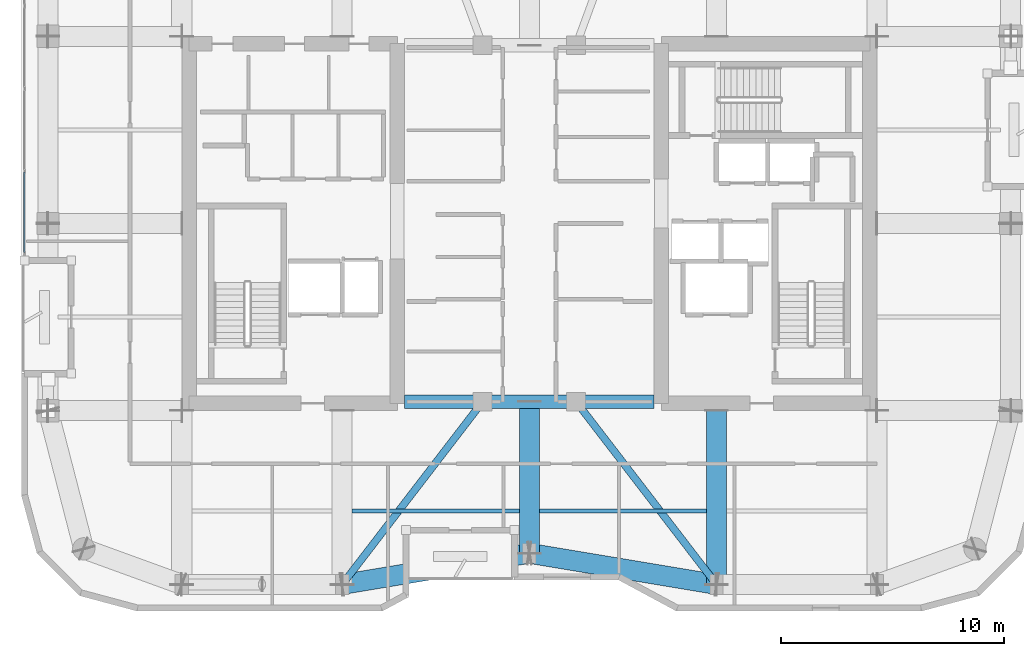
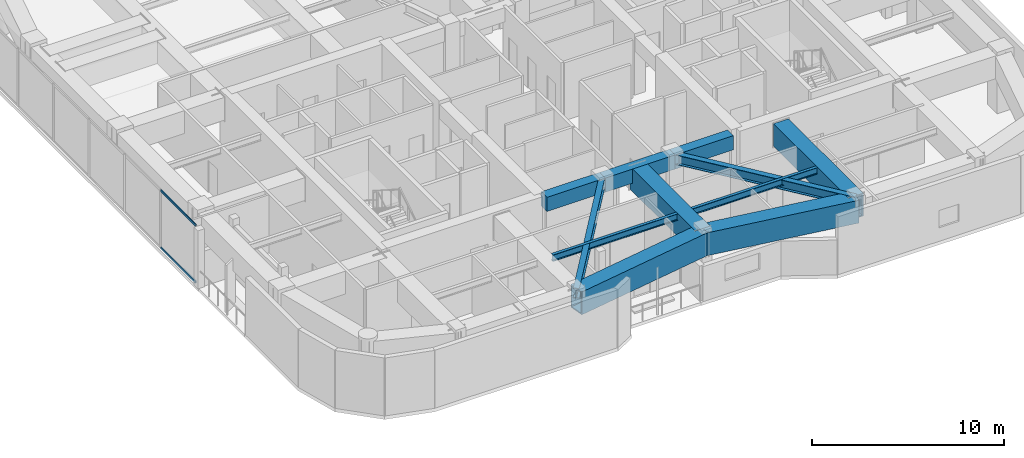
# One storey, part 3 of 21: 11 beams, 2 members, 1 element without a shape of its own.
"""IFC4 building model written with IfcOpenShell, lengths in metres."""

from ifc_helpers import new_model, si_unit, direction, frame, origin, origin_2d, place, context, subcontext, project, spatial, rectangle, hollow_rectangle, i_section, extrude, material, layer, layer_set, material_profile, profile_set, type_object, element, aggregate, save


model = new_model("IFC4")

# Units and contexts
model_context = context("Model", 3, precision=1e-05, world=origin(), true_north=direction((0.0, 1.0)))
body_context = subcontext(model_context, "Body", "Model", "MODEL_VIEW")
ifc_project = project(units=[si_unit("LENGTHUNIT", "METRE"), si_unit("AREAUNIT", "SQUARE_METRE"), si_unit("VOLUMEUNIT", "CUBIC_METRE"), si_unit("PLANEANGLEUNIT", "RADIAN"), si_unit("MASSUNIT", "GRAM", prefix="KILO")], contexts=[model_context])

# Site, building, storey
site_placement = place(None, origin())
site = spatial("IfcSite", under=ifc_project, at=site_placement, CompositionType="ELEMENT")
building_placement = place(site_placement, origin())
building = spatial("IfcBuilding", under=site, at=building_placement, Name="Kiyonajd Concourse Tower", CompositionType="ELEMENT")
storey_placement = place(building_placement, frame((0.0, 0.0, 251.10009765625)))
storey = spatial("IfcBuildingStorey", under=building, at=storey_placement, Name="L63", CompositionType="ELEMENT", Elevation=251.10009765625)

# Beams
ifc_material_1 = material(Name="Concrete C60/75", Category="concrete")
ifc_material_profile_1 = material_profile(ifc_material_1, rectangle(XDim=0.60009765625, YDim=0.89990234375, at=origin_2d()), Name="RCBM-600x900")
ifc_profile_set_1 = profile_set([ifc_material_profile_1], Name="Concrete C60/75")
beam_type_1 = type_object("IfcBeamType", Name="BM-COUP-900", PredefinedType="LINTEL", material=ifc_profile_set_1)
beam_1_placement = place(storey_placement, frame((42.39990234375, 28.0, 3.22998046875), z_axis=(1.0, 0.0, 0.0), x_axis=(0.0, 1.0, 0.0)))
element("IfcBeam", 1, at=beam_1_placement, inside=storey, type_object=beam_type_1, Name="L63 Core Coupling Beam S1", PredefinedType="LINTEL", context=body_context, shape_type="SweptSolid", body=[
    extrude(rectangle(XDim=0.60009765625, YDim=0.89990234375, at=origin_2d()), origin(), (0.0, 0.0, 1.0), 3.5),
])
beam_2_placement = place(storey_placement, frame((45.89990234375, 28.0, 3.22998046875), z_axis=(1.0, 0.0, 0.0), x_axis=(0.0, 1.0, 0.0)))
element("IfcBeam", 2, at=beam_2_placement, inside=storey, type_object=beam_type_1, Name="L63 Core Coupling Beam S2", PredefinedType="LINTEL", context=body_context, shape_type="SweptSolid", body=[
    extrude(rectangle(XDim=0.60009765625, YDim=0.89990234375, at=origin_2d()), origin(), (0.0, 0.0, 1.0), 4.2001953125),
])
beam_3_placement = place(storey_placement, frame((50.10009765625, 28.0, 3.22998046875), z_axis=(1.0, 0.0, 0.0), x_axis=(0.0, 1.0, 0.0)))
element("IfcBeam", 3, at=beam_3_placement, inside=storey, type_object=beam_type_1, Name="L63 Core Coupling Beam S3", PredefinedType="LINTEL", context=body_context, shape_type="SweptSolid", body=[
    extrude(rectangle(XDim=0.60009765625, YDim=0.89990234375, at=origin_2d()), origin(), (0.0, 0.0, 1.0), 3.5),
])
ifc_material_2 = material(Name="Steel ASTM A992 Grade 50", Category="steel")
ifc_material_profile_2 = material_profile(ifc_material_2, i_section(OverallWidth=0.180908203125, OverallDepth=0.4169921875, WebThickness=0.010986328125, FlangeThickness=0.018310546875, at=origin_2d()), Name="W410X85")
ifc_profile_set_2 = profile_set([ifc_material_profile_2], Name="Steel ASTM A992 Grade 50")
beam_type_2 = type_object("IfcBeamType", Name="BM-JST-410", PredefinedType="JOIST", material=ifc_profile_set_2)
for number, where, z_axis, x_axis, name in (
    (4, (40.050048828125, 23.10009765625, 3.471435546875), (1.0, 0.0, 0.0), (0.0, 1.0, 0.0), "L63 Secondary Floor Joist"),
    (5, (48.449951171875, 23.10009765625, 3.471435546875), (1.0, 0.0, 0.0), (0.0, 1.0, 0.0), "L63 Secondary Floor Joist"),
):
    element("IfcBeam", number, at=place(storey_placement, frame(where, z_axis=z_axis, x_axis=x_axis)), inside=storey, type_object=beam_type_2, Name=name, PredefinedType="JOIST", context=body_context, shape_type="SweptSolid", body=[
        extrude(i_section(OverallWidth=0.180908203125, OverallDepth=0.4169921875, WebThickness=0.010986328125, FlangeThickness=0.018310546875, at=origin_2d()), origin(), (0.0, 0.0, 1.0), 7.5),
    ])
ifc_material_profile_3 = material_profile(ifc_material_2, i_section(OverallWidth=0.326904296875, OverallDepth=0.6220703125, WebThickness=0.015380859375, FlangeThickness=0.0244140625, at=origin_2d()), Name="W610X195")
ifc_profile_set_3 = profile_set([ifc_material_profile_3], Name="Steel ASTM A992 Grade 50")
beam_type_3 = type_object("IfcBeamType", Name="BM-TWR-610A", PredefinedType="BEAM", material=ifc_profile_set_3)
for number, where, z_axis, x_axis, name in (
    (6, (39.60009765625, 19.800048828125, 3.368896484375), (0.609233709922, 0.792990722956, 0.0), (-0.792990722956, 0.609233709922, 0.0), "L63 Core Tie Girder"),
    (7, (50.10009765625, 28.0, 3.368896484375), (0.609233709922, -0.792990722956, 0.0), (0.792990722956, 0.609233709922, 0.0), "L63 Core Tie Girder"),
):
    element("IfcBeam", number, at=place(storey_placement, frame(where, z_axis=z_axis, x_axis=x_axis)), inside=storey, type_object=beam_type_3, Name=name, PredefinedType="BEAM", context=body_context, shape_type="SweptSolid", body=[
        extrude(i_section(OverallWidth=0.326904296875, OverallDepth=0.6220703125, WebThickness=0.015380859375, FlangeThickness=0.0244140625, at=origin_2d()), origin(), (0.0, 0.0, 1.0), 10.340576171875),
    ])
ifc_material_3 = material(Name="Steel ASTM A572 Grade 50", Category="steel")
ifc_material_profile_4 = material_profile(ifc_material_3, hollow_rectangle(XDim=0.89990234375, YDim=1.449951171875, WallThickness=0.074951171875, at=origin_2d()), Name="BOX-1450x900x75")
ifc_profile_set_4 = profile_set([ifc_material_profile_4], Name="Steel ASTM A572 Grade 50")
beam_type_4 = type_object("IfcBeamType", Name="BM-XFER-1800", PredefinedType="BEAM", material=ifc_profile_set_4)
for number, where, z_axis, x_axis, name in (
    (8, (39.60009765625, 19.800048828125, 2.954833984375), (0.986395473479, 0.164389689151, 0.0), (-0.164389689151, 0.986395473479, 0.0), "L63 Perimeter Bundled Tube Spandrel"),
    (9, (48.0, 21.199951171875, 2.954833984375), (0.986395473479, -0.164389689151, 0.0), (0.164389689151, 0.986395473479, 0.0), "L63 Perimeter Bundled Tube Spandrel"),
):
    element("IfcBeam", number, at=place(storey_placement, frame(where, z_axis=z_axis, x_axis=x_axis)), inside=storey, type_object=beam_type_4, Name=name, PredefinedType="BEAM", context=body_context, shape_type="SweptSolid", body=[
        extrude(hollow_rectangle(XDim=0.89990234375, YDim=1.449951171875, WallThickness=0.074951171875, at=origin_2d()), origin(), (0.0, 0.0, 1.0), 8.515869140625),
    ])
beam_4_placement = place(storey_placement, frame((56.39990234375, 19.800048828125, 2.954833984375), z_axis=(0.0, 1.0, 0.0), x_axis=(-1.0, 0.0, 0.0)))
element("IfcBeam", 10, at=beam_4_placement, inside=storey, type_object=beam_type_4, Name="L63 South Lease Girder", PredefinedType="BEAM", context=body_context, shape_type="SweptSolid", body=[
    extrude(hollow_rectangle(XDim=0.89990234375, YDim=1.449951171875, WallThickness=0.074951171875, at=origin_2d()), origin(), (0.0, 0.0, 1.0), 7.800048828125),
])
beam_5_placement = place(storey_placement, frame((48.0, 21.199951171875, 2.954833984375), z_axis=(0.0, 1.0, 0.0), x_axis=(-1.0, 0.0, 0.0)))
element("IfcBeam", 11, at=beam_5_placement, inside=storey, type_object=beam_type_4, Name="L63 South Ribbon Girder", PredefinedType="BEAM", context=body_context, shape_type="SweptSolid", body=[
    extrude(hollow_rectangle(XDim=0.89990234375, YDim=1.449951171875, WallThickness=0.074951171875, at=origin_2d()), origin(), (0.0, 0.0, 1.0), 6.800048828125),
])

# Curtain wall, members
ifc_material_4 = material(Name="Thermally Broken Anodised Aluminium", Category="aluminium")
ifc_layer = layer(ifc_material_4, 0.179931640625)
ifc_layer_set = layer_set([ifc_layer], Name="Thermally Broken Anodised Aluminium")
curtain_wall_type = type_object("IfcCurtainWallType", Name="CW-SYS-04", PredefinedType="NOTDEFINED", material=ifc_layer_set)
curtain_wall_placement = place(storey_placement, origin())
curtain_wall = element("IfcCurtainWall", 12, at=curtain_wall_placement, inside=storey, type_object=curtain_wall_type, Name="L63 Unitised Curtain Wall CW4", PredefinedType="NOTDEFINED")
ifc_material_profile_5 = material_profile(ifc_material_4, hollow_rectangle(XDim=0.06494140625, YDim=0.139892578125, WallThickness=0.00390625, at=origin_2d()), Name="TRAN-65x140")
ifc_profile_set_5 = profile_set([ifc_material_profile_5], Name="Thermally Broken Anodised Aluminium")
member_type = type_object("IfcMemberType", Name="MB-CW-TRAN1", PredefinedType="USERDEFINED", material=ifc_profile_set_5)
member_1_placement = place(storey_placement, frame((25.340087890625, 34.695068359375, 0.032470703125), z_axis=(0.0, 1.0, 0.0), x_axis=(-1.0, 0.0, 0.0)))
member_1 = element("IfcMember", 13, at=member_1_placement, type_object=member_type, Name="CW4 transom 1.1", ObjectType="TRANSOM", PredefinedType="USERDEFINED", context=body_context, shape_type="SweptSolid", body=[
    extrude(hollow_rectangle(XDim=0.06494140625, YDim=0.139892578125, WallThickness=0.00390625, at=origin_2d()), origin(), (0.0, 0.0, 1.0), 3.61279296875),
])
member_2_placement = place(storey_placement, frame((25.340087890625, 34.695068359375, 3.6474609375), z_axis=(0.0, 1.0, 0.0), x_axis=(-1.0, 0.0, 0.0)))
member_2 = element("IfcMember", 14, at=member_2_placement, type_object=member_type, Name="CW4 transom 1.2", ObjectType="TRANSOM", PredefinedType="USERDEFINED", context=body_context, shape_type="SweptSolid", body=[
    extrude(hollow_rectangle(XDim=0.06494140625, YDim=0.139892578125, WallThickness=0.00390625, at=origin_2d()), origin(), (0.0, 0.0, 1.0), 3.61279296875),
])
aggregate(curtain_wall, [member_1, member_2])

save(model, "model.ifc")
